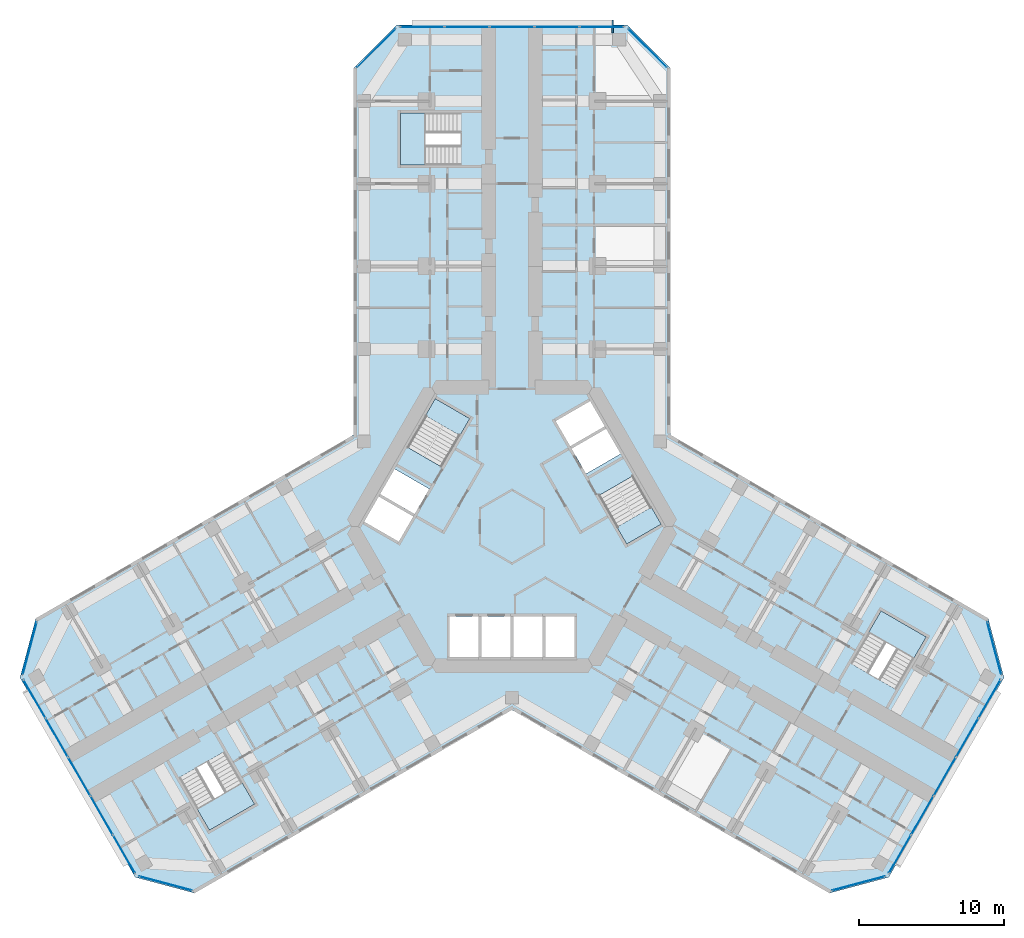
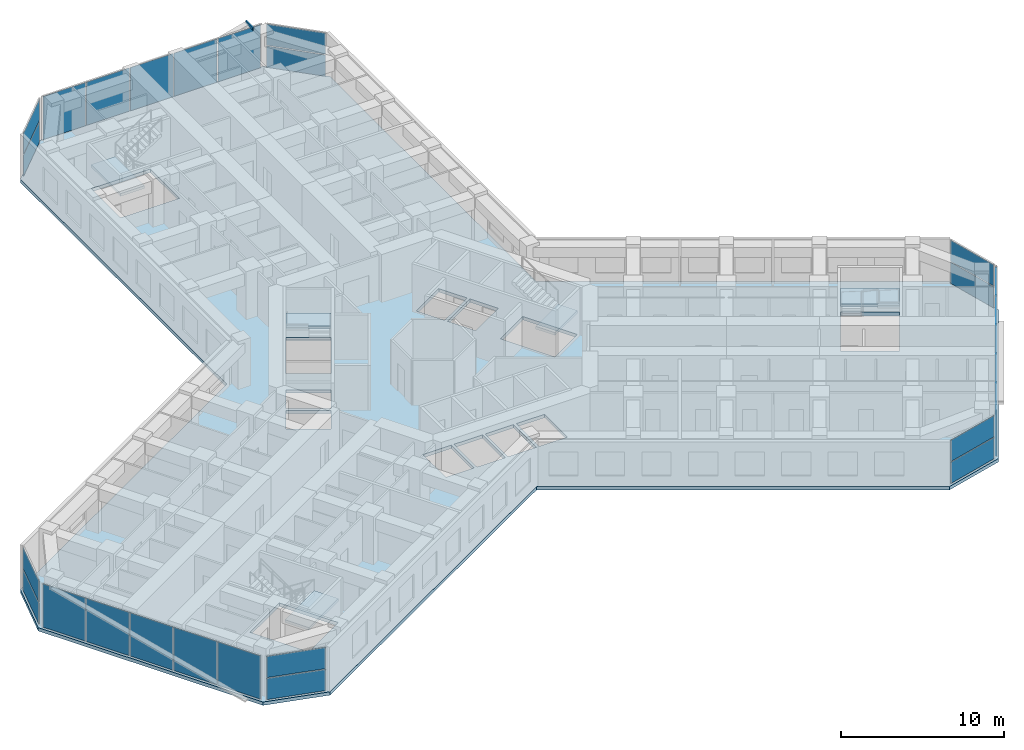
# One storey, part 9 of 21: 27 plates, 6 slabs, 1 member, 14 elements without a shape of their own.
"""IFC4 building model written with IfcOpenShell, lengths in metres."""

from ifc_helpers import new_model, si_unit, direction, frame, origin, origin_2d, place, context, subcontext, project, spatial, polyline, rectangle, hollow_rectangle, outline, extrude, material, layer, layer_set, material_profile, profile_set, type_object, element, aggregate, save


model = new_model("IFC4")

# Units and contexts
model_context = context("Model", 3, precision=1e-05, world=origin(), true_north=direction((0.0, 1.0)))
body_context = subcontext(model_context, "Body", "Model", "MODEL_VIEW")
ifc_project = project(units=[si_unit("LENGTHUNIT", "METRE"), si_unit("AREAUNIT", "SQUARE_METRE"), si_unit("VOLUMEUNIT", "CUBIC_METRE"), si_unit("PLANEANGLEUNIT", "RADIAN"), si_unit("MASSUNIT", "GRAM", prefix="KILO")], contexts=[model_context])

# Site, building, storey
site_placement = place(None, origin())
site = spatial("IfcSite", under=ifc_project, at=site_placement, CompositionType="ELEMENT")
building_placement = place(site_placement, origin())
building = spatial("IfcBuilding", under=site, at=building_placement, Name="Kosmar Iwan School Tower", CompositionType="ELEMENT")
storey_placement = place(building_placement, frame((0.0, 0.0, 88.0)))
storey = spatial("IfcBuildingStorey", under=building, at=storey_placement, Name="L21", CompositionType="ELEMENT", Elevation=88.0)

# Member
ifc_material_1 = material(Name="Steel S355", Category="steel")
ifc_material_profile = material_profile(ifc_material_1, hollow_rectangle(XDim=0.10009765625, YDim=0.199951171875, WallThickness=0.008056640625, at=origin_2d()), Name="RHS 200x100x8")
ifc_profile_set = profile_set([ifc_material_profile], Name="Steel S355")
member_type = type_object("IfcMemberType", Name="Fin bracket RHS 200x100", PredefinedType="USERDEFINED", material=ifc_profile_set)
member_placement = place(storey_placement, frame((6.949951171875, 34.050048828125, 3.47509765625), z_axis=(0.0, 1.0, 0.0), x_axis=(-1.0, 0.0, 0.0)))
element("IfcMember", 1, at=member_placement, inside=storey, type_object=member_type, Name="Fin bracket L22", ObjectType="FIN BRACKET", PredefinedType="USERDEFINED", context=body_context, shape_type="SweptSolid", body=[
    extrude(hollow_rectangle(XDim=0.10009765625, YDim=0.199951171875, WallThickness=0.008056640625, at=origin_2d()), origin(), (0.0, 0.0, 1.0), 0.89990234375),
])

# Curtain wall, plates
ifc_material_2 = material(Name="Dark glass in black aluminium frame", Category="aluminium")
curtain_wall_type_1 = type_object("IfcCurtainWallType", Name="Chamfer curtain wall dark glass", PredefinedType="USERDEFINED", material=ifc_material_2)
curtain_wall_1_placement = place(storey_placement, origin())
curtain_wall_1 = element("IfcCurtainWall", 2, at=curtain_wall_1_placement, inside=storey, type_object=curtain_wall_type_1, Name="Curtain wall L21-F02", ObjectType="FACETED CURTAIN WALL", PredefinedType="USERDEFINED")
ifc_material_3 = material(Name="Dark glass", Category="glass")
ifc_layer_1 = layer(ifc_material_3, 0.028076171875)
ifc_layer_set_1 = layer_set([ifc_layer_1], Name="Dark glass panel 28")
plate_type = type_object("IfcPlateType", Name="Dark glass panel 28", PredefinedType="CURTAIN_PANEL", material=ifc_layer_set_1)
plate_1_placement = place(storey_placement, frame((23.908203125, -24.61328125, 0.06005859375), z_axis=(0.0, 0.0, 1.0), x_axis=(0.965925875495, 0.258818861462, 0.0)))
plate_1 = element("IfcPlate", 3, at=plate_1_placement, type_object=plate_type, Name="CW2 panel 1.1", PredefinedType="CURTAIN_PANEL", context=body_context, shape_type="SweptSolid", body=[
    extrude(rectangle(XDim=3.718994140625, YDim=0.028076171875, at=origin_2d()), origin(), (0.0, 0.0, 1.0), 1.5849609375),
])
plate_2_placement = place(storey_placement, frame((23.908203125, -24.61328125, 1.705078125), z_axis=(0.0, 0.0, 1.0), x_axis=(0.965925875495, 0.258818861462, 0.0)))
plate_2 = element("IfcPlate", 4, at=plate_2_placement, type_object=plate_type, Name="CW2 panel 1.2", PredefinedType="CURTAIN_PANEL", context=body_context, shape_type="SweptSolid", body=[
    extrude(rectangle(XDim=3.718994140625, YDim=0.028076171875, at=origin_2d()), origin(), (0.0, 0.0, 1.0), 1.5849609375),
])
aggregate(curtain_wall_1, [plate_1, plate_2])

ifc_material_4 = material(Name="Dark glass in black aluminium frame", Category="aluminium")
curtain_wall_type_2 = type_object("IfcCurtainWallType", Name="Tower curtain wall dark glass", PredefinedType="USERDEFINED", material=ifc_material_4)
curtain_wall_2_placement = place(storey_placement, origin())
curtain_wall_2 = element("IfcCurtainWall", 5, at=curtain_wall_2_placement, inside=storey, type_object=curtain_wall_type_2, Name="Curtain wall L21-F03", ObjectType="UNITISED CURTAIN WALL", PredefinedType="USERDEFINED")
plate_3_placement = place(storey_placement, frame((26.764404296875, -22.592529296875, 0.06005859375), z_axis=(0.0, 0.0, 1.0), x_axis=(0.499999997325, 0.866025405329, 0.0)))
plate_3 = element("IfcPlate", 6, at=plate_3_placement, type_object=plate_type, Name="CW1 panel 1.1", PredefinedType="CURTAIN_PANEL", context=body_context, shape_type="SweptSolid", body=[
    extrude(rectangle(XDim=3.00927734375, YDim=0.028076171875, at=origin_2d()), origin(), (0.0, 0.0, 1.0), 3.22998046875),
])
plate_4_placement = place(storey_placement, frame((28.306640625, -19.921630859375, 0.06005859375), z_axis=(0.0, 0.0, 1.0), x_axis=(0.499999997325, 0.866025405329, 0.0)))
plate_4 = element("IfcPlate", 7, at=plate_4_placement, type_object=plate_type, Name="CW1 panel 2.1", PredefinedType="CURTAIN_PANEL", context=body_context, shape_type="SweptSolid", body=[
    extrude(rectangle(XDim=3.039306640625, YDim=0.028076171875, at=origin_2d()), origin(), (0.0, 0.0, 1.0), 3.22998046875),
])
plate_5_placement = place(storey_placement, frame((29.856201171875, -17.237548828125, 0.06005859375), z_axis=(0.0, 0.0, 1.0), x_axis=(0.499999997325, 0.866025405329, 0.0)))
plate_5 = element("IfcPlate", 8, at=plate_5_placement, type_object=plate_type, Name="CW1 panel 3.1", PredefinedType="CURTAIN_PANEL", context=body_context, shape_type="SweptSolid", body=[
    extrude(rectangle(XDim=3.039306640625, YDim=0.028076171875, at=origin_2d()), origin(), (0.0, 0.0, 1.0), 3.22998046875),
])
plate_6_placement = place(storey_placement, frame((31.40576171875, -14.553466796875, 0.06005859375), z_axis=(0.0, 0.0, 1.0), x_axis=(0.499999997325, 0.866025405329, 0.0)))
plate_6 = element("IfcPlate", 9, at=plate_6_placement, type_object=plate_type, Name="CW1 panel 4.1", PredefinedType="CURTAIN_PANEL", context=body_context, shape_type="SweptSolid", body=[
    extrude(rectangle(XDim=3.039306640625, YDim=0.028076171875, at=origin_2d()), origin(), (0.0, 0.0, 1.0), 3.22998046875),
])
plate_7_placement = place(storey_placement, frame((32.947998046875, -11.88232421875, 0.06005859375), z_axis=(0.0, 0.0, 1.0), x_axis=(0.499999997325, 0.866025405329, 0.0)))
plate_7 = element("IfcPlate", 10, at=plate_7_placement, type_object=plate_type, Name="CW1 panel 5.1", PredefinedType="CURTAIN_PANEL", context=body_context, shape_type="SweptSolid", body=[
    extrude(rectangle(XDim=3.00927734375, YDim=0.028076171875, at=origin_2d()), origin(), (0.0, 0.0, 1.0), 3.22998046875),
])
aggregate(curtain_wall_2, [plate_3, plate_4, plate_5, plate_6, plate_7])

curtain_wall_3_placement = place(storey_placement, origin())
curtain_wall_3 = element("IfcCurtainWall", 11, at=curtain_wall_3_placement, inside=storey, type_object=curtain_wall_type_1, Name="Curtain wall L21-F04", ObjectType="FACETED CURTAIN WALL", PredefinedType="USERDEFINED")
plate_8_placement = place(storey_placement, frame((33.269775390625, -8.3984375, 0.06005859375), z_axis=(0.0, 0.0, 1.0), x_axis=(-0.258818861462, 0.965925875495, 0.0)))
plate_8 = element("IfcPlate", 12, at=plate_8_placement, type_object=plate_type, Name="CW2 panel 1.1", PredefinedType="CURTAIN_PANEL", context=body_context, shape_type="SweptSolid", body=[
    extrude(rectangle(XDim=3.718994140625, YDim=0.028076171875, at=origin_2d()), origin(), (0.0, 0.0, 1.0), 1.5849609375),
])
plate_9_placement = place(storey_placement, frame((33.269775390625, -8.3984375, 1.705078125), z_axis=(0.0, 0.0, 1.0), x_axis=(-0.258818861462, 0.965925875495, 0.0)))
plate_9 = element("IfcPlate", 13, at=plate_9_placement, type_object=plate_type, Name="CW2 panel 1.2", PredefinedType="CURTAIN_PANEL", context=body_context, shape_type="SweptSolid", body=[
    extrude(rectangle(XDim=3.718994140625, YDim=0.028076171875, at=origin_2d()), origin(), (0.0, 0.0, 1.0), 1.5849609375),
])
aggregate(curtain_wall_3, [plate_8, plate_9])

curtain_wall_4_placement = place(storey_placement, origin())
curtain_wall_4 = element("IfcCurtainWall", 14, at=curtain_wall_4_placement, inside=storey, type_object=curtain_wall_type_1, Name="Curtain wall L21-F07", ObjectType="FACETED CURTAIN WALL", PredefinedType="USERDEFINED")
plate_10_placement = place(storey_placement, frame((9.361572265625, 33.01171875, 0.06005859375), z_axis=(0.0, 0.0, 1.0), x_axis=(-0.707106781187, 0.707106781187, 0.0)))
plate_10 = element("IfcPlate", 15, at=plate_10_placement, type_object=plate_type, Name="CW2 panel 1.1", PredefinedType="CURTAIN_PANEL", context=body_context, shape_type="SweptSolid", body=[
    extrude(rectangle(XDim=3.718994140625, YDim=0.028076171875, at=origin_2d()), origin(), (0.0, 0.0, 1.0), 1.5849609375),
])
plate_11_placement = place(storey_placement, frame((9.361572265625, 33.01171875, 1.705078125), z_axis=(0.0, 0.0, 1.0), x_axis=(-0.707106781187, 0.707106781187, 0.0)))
plate_11 = element("IfcPlate", 16, at=plate_11_placement, type_object=plate_type, Name="CW2 panel 1.2", PredefinedType="CURTAIN_PANEL", context=body_context, shape_type="SweptSolid", body=[
    extrude(rectangle(XDim=3.718994140625, YDim=0.028076171875, at=origin_2d()), origin(), (0.0, 0.0, 1.0), 1.5849609375),
])
aggregate(curtain_wall_4, [plate_10, plate_11])

curtain_wall_5_placement = place(storey_placement, origin())
curtain_wall_5 = element("IfcCurtainWall", 17, at=curtain_wall_5_placement, inside=storey, type_object=curtain_wall_type_2, Name="Curtain wall L21-F08", ObjectType="UNITISED CURTAIN WALL", PredefinedType="USERDEFINED")
plate_12_placement = place(storey_placement, frame((6.18359375, 34.47509765625, 0.06005859375), z_axis=(0.0, 0.0, 1.0), x_axis=(-1.0, 0.0, 0.0)))
plate_12 = element("IfcPlate", 18, at=plate_12_placement, type_object=plate_type, Name="CW1 panel 1.1", PredefinedType="CURTAIN_PANEL", context=body_context, shape_type="SweptSolid", body=[
    extrude(rectangle(XDim=3.00927734375, YDim=0.028076171875, at=origin_2d()), origin(), (0.0, 0.0, 1.0), 3.22998046875),
])
plate_13_placement = place(storey_placement, frame((3.099365234375, 34.47509765625, 0.06005859375), z_axis=(0.0, 0.0, 1.0), x_axis=(-1.0, 0.0, 0.0)))
plate_13 = element("IfcPlate", 19, at=plate_13_placement, type_object=plate_type, Name="CW1 panel 2.1", PredefinedType="CURTAIN_PANEL", context=body_context, shape_type="SweptSolid", body=[
    extrude(rectangle(XDim=3.039306640625, YDim=0.028076171875, at=origin_2d()), origin(), (0.0, 0.0, 1.0), 3.22998046875),
])
plate_14_placement = place(storey_placement, frame((0.0, 34.47509765625, 0.06005859375), z_axis=(0.0, 0.0, 1.0), x_axis=(-1.0, 0.0, 0.0)))
plate_14 = element("IfcPlate", 20, at=plate_14_placement, type_object=plate_type, Name="CW1 panel 3.1", PredefinedType="CURTAIN_PANEL", context=body_context, shape_type="SweptSolid", body=[
    extrude(rectangle(XDim=3.039306640625, YDim=0.028076171875, at=origin_2d()), origin(), (0.0, 0.0, 1.0), 3.22998046875),
])
plate_15_placement = place(storey_placement, frame((-3.099365234375, 34.47509765625, 0.06005859375), z_axis=(0.0, 0.0, 1.0), x_axis=(-1.0, 0.0, 0.0)))
plate_15 = element("IfcPlate", 21, at=plate_15_placement, type_object=plate_type, Name="CW1 panel 4.1", PredefinedType="CURTAIN_PANEL", context=body_context, shape_type="SweptSolid", body=[
    extrude(rectangle(XDim=3.039306640625, YDim=0.028076171875, at=origin_2d()), origin(), (0.0, 0.0, 1.0), 3.22998046875),
])
plate_16_placement = place(storey_placement, frame((-6.18359375, 34.47509765625, 0.06005859375), z_axis=(0.0, 0.0, 1.0), x_axis=(-1.0, 0.0, 0.0)))
plate_16 = element("IfcPlate", 22, at=plate_16_placement, type_object=plate_type, Name="CW1 panel 5.1", PredefinedType="CURTAIN_PANEL", context=body_context, shape_type="SweptSolid", body=[
    extrude(rectangle(XDim=3.00927734375, YDim=0.028076171875, at=origin_2d()), origin(), (0.0, 0.0, 1.0), 3.22998046875),
])
aggregate(curtain_wall_5, [plate_12, plate_13, plate_14, plate_15, plate_16])

curtain_wall_6_placement = place(storey_placement, origin())
curtain_wall_6 = element("IfcCurtainWall", 23, at=curtain_wall_6_placement, inside=storey, type_object=curtain_wall_type_1, Name="Curtain wall L21-F09", ObjectType="FACETED CURTAIN WALL", PredefinedType="USERDEFINED")
plate_17_placement = place(storey_placement, frame((-9.361572265625, 33.01171875, 0.06005859375), z_axis=(0.0, 0.0, 1.0), x_axis=(-0.707106781187, -0.707106781187, 0.0)))
plate_17 = element("IfcPlate", 24, at=plate_17_placement, type_object=plate_type, Name="CW2 panel 1.1", PredefinedType="CURTAIN_PANEL", context=body_context, shape_type="SweptSolid", body=[
    extrude(rectangle(XDim=3.718994140625, YDim=0.028076171875, at=origin_2d()), origin(), (0.0, 0.0, 1.0), 1.5849609375),
])
plate_18_placement = place(storey_placement, frame((-9.361572265625, 33.01171875, 1.705078125), z_axis=(0.0, 0.0, 1.0), x_axis=(-0.707106781187, -0.707106781187, 0.0)))
plate_18 = element("IfcPlate", 25, at=plate_18_placement, type_object=plate_type, Name="CW2 panel 1.2", PredefinedType="CURTAIN_PANEL", context=body_context, shape_type="SweptSolid", body=[
    extrude(rectangle(XDim=3.718994140625, YDim=0.028076171875, at=origin_2d()), origin(), (0.0, 0.0, 1.0), 1.5849609375),
])
aggregate(curtain_wall_6, [plate_17, plate_18])

curtain_wall_7_placement = place(storey_placement, origin())
curtain_wall_7 = element("IfcCurtainWall", 26, at=curtain_wall_7_placement, inside=storey, type_object=curtain_wall_type_1, Name="Curtain wall L21-F12", ObjectType="FACETED CURTAIN WALL", PredefinedType="USERDEFINED")
plate_19_placement = place(storey_placement, frame((-33.269775390625, -8.3984375, 0.06005859375), z_axis=(0.0, 0.0, 1.0), x_axis=(-0.258818861462, -0.965925875495, 0.0)))
plate_19 = element("IfcPlate", 27, at=plate_19_placement, type_object=plate_type, Name="CW2 panel 1.1", PredefinedType="CURTAIN_PANEL", context=body_context, shape_type="SweptSolid", body=[
    extrude(rectangle(XDim=3.718994140625, YDim=0.028076171875, at=origin_2d()), origin(), (0.0, 0.0, 1.0), 1.5849609375),
])
plate_20_placement = place(storey_placement, frame((-33.269775390625, -8.3984375, 1.705078125), z_axis=(0.0, 0.0, 1.0), x_axis=(-0.258818861462, -0.965925875495, 0.0)))
plate_20 = element("IfcPlate", 28, at=plate_20_placement, type_object=plate_type, Name="CW2 panel 1.2", PredefinedType="CURTAIN_PANEL", context=body_context, shape_type="SweptSolid", body=[
    extrude(rectangle(XDim=3.718994140625, YDim=0.028076171875, at=origin_2d()), origin(), (0.0, 0.0, 1.0), 1.5849609375),
])
aggregate(curtain_wall_7, [plate_19, plate_20])

curtain_wall_8_placement = place(storey_placement, origin())
curtain_wall_8 = element("IfcCurtainWall", 29, at=curtain_wall_8_placement, inside=storey, type_object=curtain_wall_type_2, Name="Curtain wall L21-F13", ObjectType="UNITISED CURTAIN WALL", PredefinedType="USERDEFINED")
plate_21_placement = place(storey_placement, frame((-32.947998046875, -11.88232421875, 0.06005859375), z_axis=(0.0, 0.0, 1.0), x_axis=(0.499999997325, -0.866025405329, 0.0)))
plate_21 = element("IfcPlate", 30, at=plate_21_placement, type_object=plate_type, Name="CW1 panel 1.1", PredefinedType="CURTAIN_PANEL", context=body_context, shape_type="SweptSolid", body=[
    extrude(rectangle(XDim=3.00927734375, YDim=0.028076171875, at=origin_2d()), origin(), (0.0, 0.0, 1.0), 3.22998046875),
])
plate_22_placement = place(storey_placement, frame((-31.40576171875, -14.553466796875, 0.06005859375), z_axis=(0.0, 0.0, 1.0), x_axis=(0.499999997325, -0.866025405329, 0.0)))
plate_22 = element("IfcPlate", 31, at=plate_22_placement, type_object=plate_type, Name="CW1 panel 2.1", PredefinedType="CURTAIN_PANEL", context=body_context, shape_type="SweptSolid", body=[
    extrude(rectangle(XDim=3.039306640625, YDim=0.028076171875, at=origin_2d()), origin(), (0.0, 0.0, 1.0), 3.22998046875),
])
plate_23_placement = place(storey_placement, frame((-29.856201171875, -17.237548828125, 0.06005859375), z_axis=(0.0, 0.0, 1.0), x_axis=(0.499999997325, -0.866025405329, 0.0)))
plate_23 = element("IfcPlate", 32, at=plate_23_placement, type_object=plate_type, Name="CW1 panel 3.1", PredefinedType="CURTAIN_PANEL", context=body_context, shape_type="SweptSolid", body=[
    extrude(rectangle(XDim=3.039306640625, YDim=0.028076171875, at=origin_2d()), origin(), (0.0, 0.0, 1.0), 3.22998046875),
])
plate_24_placement = place(storey_placement, frame((-28.306640625, -19.921630859375, 0.06005859375), z_axis=(0.0, 0.0, 1.0), x_axis=(0.499999997325, -0.866025405329, 0.0)))
plate_24 = element("IfcPlate", 33, at=plate_24_placement, type_object=plate_type, Name="CW1 panel 4.1", PredefinedType="CURTAIN_PANEL", context=body_context, shape_type="SweptSolid", body=[
    extrude(rectangle(XDim=3.039306640625, YDim=0.028076171875, at=origin_2d()), origin(), (0.0, 0.0, 1.0), 3.22998046875),
])
plate_25_placement = place(storey_placement, frame((-26.764404296875, -22.592529296875, 0.06005859375), z_axis=(0.0, 0.0, 1.0), x_axis=(0.499999997325, -0.866025405329, 0.0)))
plate_25 = element("IfcPlate", 34, at=plate_25_placement, type_object=plate_type, Name="CW1 panel 5.1", PredefinedType="CURTAIN_PANEL", context=body_context, shape_type="SweptSolid", body=[
    extrude(rectangle(XDim=3.00927734375, YDim=0.028076171875, at=origin_2d()), origin(), (0.0, 0.0, 1.0), 3.22998046875),
])
aggregate(curtain_wall_8, [plate_21, plate_22, plate_23, plate_24, plate_25])

curtain_wall_9_placement = place(storey_placement, origin())
curtain_wall_9 = element("IfcCurtainWall", 35, at=curtain_wall_9_placement, inside=storey, type_object=curtain_wall_type_1, Name="Curtain wall L21-F14", ObjectType="FACETED CURTAIN WALL", PredefinedType="USERDEFINED")
plate_26_placement = place(storey_placement, frame((-23.908203125, -24.61328125, 0.06005859375), z_axis=(0.0, 0.0, 1.0), x_axis=(0.965925875495, -0.258818861462, 0.0)))
plate_26 = element("IfcPlate", 36, at=plate_26_placement, type_object=plate_type, Name="CW2 panel 1.1", PredefinedType="CURTAIN_PANEL", context=body_context, shape_type="SweptSolid", body=[
    extrude(rectangle(XDim=3.718994140625, YDim=0.028076171875, at=origin_2d()), origin(), (0.0, 0.0, 1.0), 1.5849609375),
])
plate_27_placement = place(storey_placement, frame((-23.908203125, -24.61328125, 1.705078125), z_axis=(0.0, 0.0, 1.0), x_axis=(0.965925875495, -0.258818861462, 0.0)))
plate_27 = element("IfcPlate", 37, at=plate_27_placement, type_object=plate_type, Name="CW2 panel 1.2", PredefinedType="CURTAIN_PANEL", context=body_context, shape_type="SweptSolid", body=[
    extrude(rectangle(XDim=3.718994140625, YDim=0.028076171875, at=origin_2d()), origin(), (0.0, 0.0, 1.0), 1.5849609375),
])
aggregate(curtain_wall_9, [plate_26, plate_27])

# Stair, slab
ifc_material_5 = material(Name="Concrete C35/45", Category="concrete")
stair_type_1 = type_object("IfcStairType", Name="Escape stair 3600", PredefinedType="HALF_TURN_STAIR", material=ifc_material_5)
stair_1_placement = place(storey_placement, origin())
stair_1 = element("IfcStair", 38, at=stair_1_placement, inside=storey, type_object=stair_type_1, Name="Stair WS1 L21", PredefinedType="HALF_TURN_STAIR")
ifc_material_6 = material(Name="Concrete C35/45", Category="concrete")
ifc_layer_2 = layer(ifc_material_6, 0.199951171875)
ifc_layer_set_2 = layer_set([ifc_layer_2], Name="Escape stair landing 200")
slab_type_1 = type_object("IfcSlabType", Name="Escape stair landing 200", PredefinedType="LANDING", material=ifc_layer_set_2)
slab_1_placement = place(storey_placement, frame((0.0, 0.0, 1.60009765625)))
slab_1 = element("IfcSlab", 39, at=slab_1_placement, type_object=slab_type_1, Name="WS1 landing 1", PredefinedType="LANDING", context=body_context, shape_type="SweptSolid", body=[
    extrude(outline(polyline([(-6.0, 24.949951171875), (-6.0, 28.550048828125), (-7.699951171875, 28.550048828125), (-7.699951171875, 24.949951171875), (-6.0, 24.949951171875)])), origin(), (0.0, 0.0, 1.0), 0.199951171875),
])
aggregate(stair_1, [slab_1])

stair_2_placement = place(storey_placement, origin())
stair_2 = element("IfcStair", 40, at=stair_2_placement, inside=storey, type_object=stair_type_1, Name="Stair WS2 L21", PredefinedType="HALF_TURN_STAIR")
slab_2_placement = place(storey_placement, frame((0.0, 0.0, 1.60009765625)))
slab_2 = element("IfcSlab", 41, at=slab_2_placement, type_object=slab_type_1, Name="WS2 landing 1", PredefinedType="LANDING", context=body_context, shape_type="SweptSolid", body=[
    extrude(outline(polyline([(-18.607421875, -17.671142578125), (-21.72509765625, -19.47119140625), (-20.875, -20.943359375), (-17.75732421875, -19.143310546875), (-18.607421875, -17.671142578125)])), origin(), (0.0, 0.0, 1.0), 0.199951171875),
])
aggregate(stair_2, [slab_2])

stair_3_placement = place(storey_placement, origin())
stair_3 = element("IfcStair", 42, at=stair_3_placement, inside=storey, type_object=stair_type_1, Name="Stair WS3 L21", PredefinedType="HALF_TURN_STAIR")
slab_3_placement = place(storey_placement, frame((0.0, 0.0, 1.60009765625)))
slab_3 = element("IfcSlab", 43, at=slab_3_placement, type_object=slab_type_1, Name="WS3 landing 1", PredefinedType="LANDING", context=body_context, shape_type="SweptSolid", body=[
    extrude(outline(polyline([(24.607421875, -7.27880859375), (27.72509765625, -9.078857421875), (28.574951171875, -7.606689453125), (25.457275390625, -5.806640625), (24.607421875, -7.27880859375)])), origin(), (0.0, 0.0, 1.0), 0.199951171875),
])
aggregate(stair_3, [slab_3])

# Slab
ifc_material_7 = material(Name="Concrete C35/45", Category="concrete")
ifc_layer_3 = layer(ifc_material_7, 0.25)
ifc_layer_set_3 = layer_set([ifc_layer_3], Name="Floor slab 250")
slab_type_2 = type_object("IfcSlabType", Name="Floor slab 250", PredefinedType="FLOOR", material=ifc_layer_set_3)
slab_4_placement = place(storey_placement, frame((0.0, 0.0, -0.25)))
element("IfcSlab", 44, at=slab_4_placement, inside=storey, type_object=slab_type_2, Name="L21 floor slab", PredefinedType="FLOOR", context=body_context, shape_type="SweptSolid", body=[
    extrude(outline(polyline([(-21.891357421875, -25.282958984375), (0.0, -12.64404296875), (21.891357421875, -25.282958984375), (25.989501953125, -24.184814453125), (33.939453125, -10.4150390625), (32.84130859375, -6.317138671875), (10.949951171875, 6.322021484375), (10.949951171875, 31.60009765625), (7.949951171875, 34.60009765625), (-7.949951171875, 34.60009765625), (-10.949951171875, 31.60009765625), (-10.949951171875, 6.322021484375), (-32.84130859375, -6.317138671875), (-33.939453125, -10.4150390625), (-25.989501953125, -24.184814453125), (-21.891357421875, -25.282958984375)]), holes=[polyline([(7.91259765625, -1.205078125), (10.294189453125, 0.169921875), (8.3642578125, 3.5126953125), (5.982666015625, 2.1376953125), (7.91259765625, -1.205078125)]), polyline([(-2.91259765625, 7.455078125), (-5.294189453125, 8.830078125), (-7.22412109375, 5.4873046875), (-4.8427734375, 4.1123046875), (-2.91259765625, 7.455078125)]), polyline([(-5.712646484375, 2.60546875), (-8.09423828125, 3.98046875), (-9.09423828125, 2.248291015625), (-6.712646484375, 0.873291015625), (-5.712646484375, 2.60546875)]), polyline([(-6.812744140625, 0.7001953125), (-9.1943359375, 2.0751953125), (-10.1943359375, 0.343017578125), (-7.812744140625, -1.031982421875), (-6.812744140625, 0.7001953125)]), polyline([(5.112548828125, 3.64453125), (7.494140625, 5.01953125), (6.494140625, 6.751708984375), (4.112548828125, 5.376708984375), (5.112548828125, 3.64453125)]), polyline([(4.0126953125, 5.5498046875), (6.394287109375, 6.9248046875), (5.394287109375, 8.656982421875), (3.0126953125, 7.281982421875), (4.0126953125, 5.5498046875)]), polyline([(-4.300048828125, -6.199951171875), (-4.300048828125, -9.0), (-2.300048828125, -9.0), (-2.300048828125, -6.199951171875), (-4.300048828125, -6.199951171875)]), polyline([(-2.10009765625, -6.199951171875), (-2.10009765625, -9.0), (-0.10009765625, -9.0), (-0.10009765625, -6.199951171875), (-2.10009765625, -6.199951171875)]), polyline([(0.10009765625, -6.199951171875), (0.10009765625, -9.0), (2.10009765625, -9.0), (2.10009765625, -6.199951171875), (0.10009765625, -6.199951171875)]), polyline([(2.300048828125, -6.199951171875), (2.300048828125, -9.0), (4.300048828125, -9.0), (4.300048828125, -6.199951171875), (2.300048828125, -6.199951171875)]), polyline([(-3.52001953125, 24.949951171875), (-3.52001953125, 28.550048828125), (-7.699951171875, 28.550048828125), (-7.699951171875, 24.949951171875), (-3.52001953125, 24.949951171875)]), polyline([(-19.847412109375, -15.5234375), (-22.965087890625, -17.323486328125), (-20.875, -20.943359375), (-17.75732421875, -19.143310546875), (-19.847412109375, -15.5234375)]), polyline([(23.367431640625, -9.426513671875), (26.485107421875, -11.2265625), (28.574951171875, -7.606689453125), (25.457275390625, -5.806640625), (23.367431640625, -9.426513671875)])]), origin(), (0.0, 0.0, 1.0), 0.25),
])

# Stair, slab
ifc_material_8 = material(Name="Concrete C35/45", Category="concrete")
stair_type_2 = type_object("IfcStairType", Name="Core stair 2750", PredefinedType="HALF_TURN_STAIR", material=ifc_material_8)
stair_4_placement = place(storey_placement, origin())
stair_4 = element("IfcStair", 45, at=stair_4_placement, inside=storey, type_object=stair_type_2, Name="Stair ST2 L21", PredefinedType="HALF_TURN_STAIR")
ifc_material_9 = material(Name="Concrete C35/45", Category="concrete")
ifc_layer_4 = layer(ifc_material_9, 0.199951171875)
ifc_layer_set_4 = layer_set([ifc_layer_4], Name="Stair landing 200")
slab_type_3 = type_object("IfcSlabType", Name="Stair landing 200", PredefinedType="LANDING", material=ifc_layer_set_4)
slab_5_placement = place(storey_placement, frame((0.0, 0.0, 1.60009765625)))
slab_5 = element("IfcSlab", 46, at=slab_5_placement, type_object=slab_type_3, Name="ST2 landing 1", PredefinedType="LANDING", context=body_context, shape_type="SweptSolid", body=[
    extrude(outline(polyline([(-2.91259765625, 7.455078125), (-5.294189453125, 8.830078125), (-5.97412109375, 7.65234375), (-3.5927734375, 6.27734375), (-2.91259765625, 7.455078125)])), origin(), (0.0, 0.0, 1.0), 0.199951171875),
])
aggregate(stair_4, [slab_5])

stair_5_placement = place(storey_placement, origin())
stair_5 = element("IfcStair", 47, at=stair_5_placement, inside=storey, type_object=stair_type_2, Name="Stair ST1 L21", PredefinedType="HALF_TURN_STAIR")
slab_6_placement = place(storey_placement, frame((0.0, 0.0, 1.60009765625)))
slab_6 = element("IfcSlab", 48, at=slab_6_placement, type_object=slab_type_3, Name="ST1 landing 1", PredefinedType="LANDING", context=body_context, shape_type="SweptSolid", body=[
    extrude(outline(polyline([(7.91259765625, -1.205078125), (10.294189453125, 0.169921875), (9.6142578125, 1.34765625), (7.232666015625, -0.02734375), (7.91259765625, -1.205078125)])), origin(), (0.0, 0.0, 1.0), 0.199951171875),
])
aggregate(stair_5, [slab_6])

save(model, "model.ifc")
